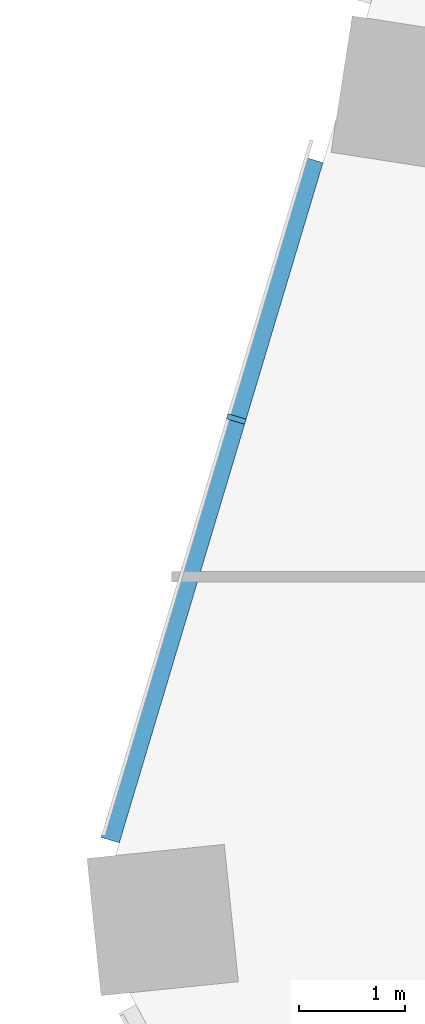
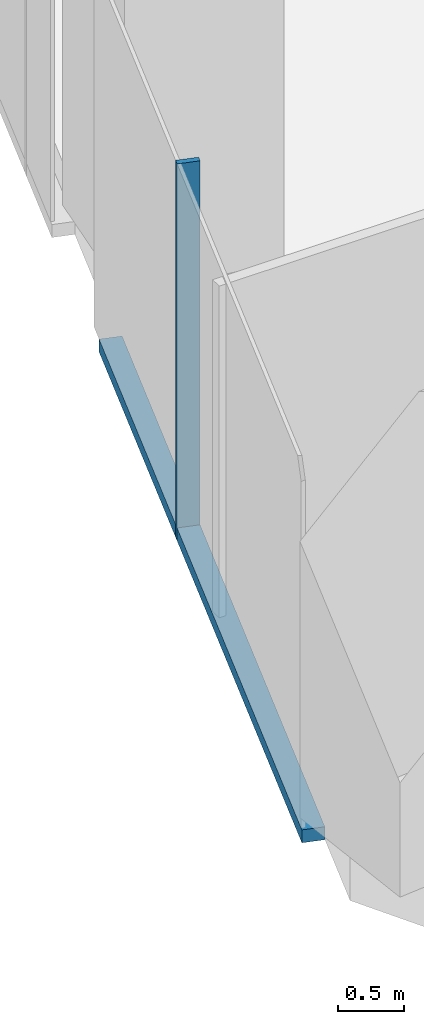
# One storey, part 7 of 34: 2 members, 1 element without a shape of its own.
"""IFC4 building model written with IfcOpenShell, lengths in metres."""

from ifc_helpers import new_model, si_unit, direction, frame, origin, origin_2d, place, context, subcontext, project, spatial, rectangle, extrude, material, material_profile, profile_set, type_object, element, aggregate, save


model = new_model("IFC4")

# Units and contexts
model_context = context("Model", 3, precision=1e-05, world=origin(), true_north=direction((0.0, 1.0)))
body_context = subcontext(model_context, "Body", "Model", "MODEL_VIEW")
ifc_project = project(units=[si_unit("LENGTHUNIT", "METRE"), si_unit("AREAUNIT", "SQUARE_METRE"), si_unit("VOLUMEUNIT", "CUBIC_METRE"), si_unit("PLANEANGLEUNIT", "RADIAN"), si_unit("MASSUNIT", "GRAM", prefix="KILO")], contexts=[model_context])

# Site, building, storey
site_placement = place(None, origin())
site = spatial("IfcSite", under=ifc_project, at=site_placement, CompositionType="ELEMENT")
building_placement = place(site_placement, origin())
building = spatial("IfcBuilding", under=site, at=building_placement, Name="Orlundy Tower", CompositionType="ELEMENT")
storey_placement = place(building_placement, frame((0.0, 0.0, 127.199951171875)))
storey = spatial("IfcBuildingStorey", under=building, at=storey_placement, Name="L32", CompositionType="ELEMENT", Elevation=127.199951171875)

# Curtain wall, members
ifc_material_1 = material(Name="Aluminium bronze anodised", Category="aluminium")
curtain_wall_type = type_object("IfcCurtainWallType", Name="CW1 wall", PredefinedType="NOTDEFINED", material=ifc_material_1)
curtain_wall_placement = place(storey_placement, origin())
curtain_wall = element("IfcCurtainWall", 1, at=curtain_wall_placement, inside=storey, type_object=curtain_wall_type, Name="CW1 run 02", PredefinedType="NOTDEFINED")
ifc_material_2 = material(Name="Aluminium bronze anodised", Category="aluminium")
ifc_material_profile_1 = material_profile(ifc_material_2, rectangle(XDim=0.179931640625, YDim=0.050048828125, at=origin_2d()), Name="CW1 mullion 50x180")
ifc_profile_set_1 = profile_set([ifc_material_profile_1], Name="Aluminium bronze anodised")
member_type_1 = type_object("IfcMemberType", Name="CW1 mullion 50x180", PredefinedType="MULLION", material=ifc_profile_set_1)
member_1_placement = place(storey_placement, frame((-30.964599609375, 1.4873046875, -0.39990234375), z_axis=(0.0, 0.0, 1.0), x_axis=(-0.957985612971, 0.286816257107, 0.0)))
member_1 = element("IfcMember", 2, at=member_1_placement, type_object=member_type_1, Name="CW1 mullion 10", PredefinedType="MULLION", context=body_context, shape_type="SweptSolid", body=[
    extrude(rectangle(XDim=0.179931640625, YDim=0.050048828125, at=origin_2d()), origin(), (0.0, 0.0, 1.0), 3.5),
])
ifc_material_3 = material(Name="Aluminium bronze anodised", Category="aluminium")
ifc_material_profile_2 = material_profile(ifc_material_3, rectangle(XDim=0.179931640625, YDim=0.1201171875, at=origin_2d()), Name="CW1 transom 180x120")
ifc_profile_set_2 = profile_set([ifc_material_profile_2], Name="Aluminium bronze anodised")
member_type_2 = type_object("IfcMemberType", Name="CW1 transom 180x120", PredefinedType="USERDEFINED", material=ifc_profile_set_2)
member_2_placement = place(storey_placement, frame((-32.152587890625, -2.48046875, -0.33984375), z_axis=(0.286825574838, 0.957982823238, 0.0), x_axis=(-0.957982823238, 0.286825574838, 0.0)))
member_2 = element("IfcMember", 3, at=member_2_placement, type_object=member_type_2, Name="CW1 transom", ObjectType="TRANSOM", PredefinedType="USERDEFINED", context=body_context, shape_type="SweptSolid", body=[
    extrude(rectangle(XDim=0.179931640625, YDim=0.1201171875, at=origin_2d()), origin(), (0.0, 0.0, 1.0), 6.690185546875),
])
aggregate(curtain_wall, [member_1, member_2])

save(model, "model.ifc")
